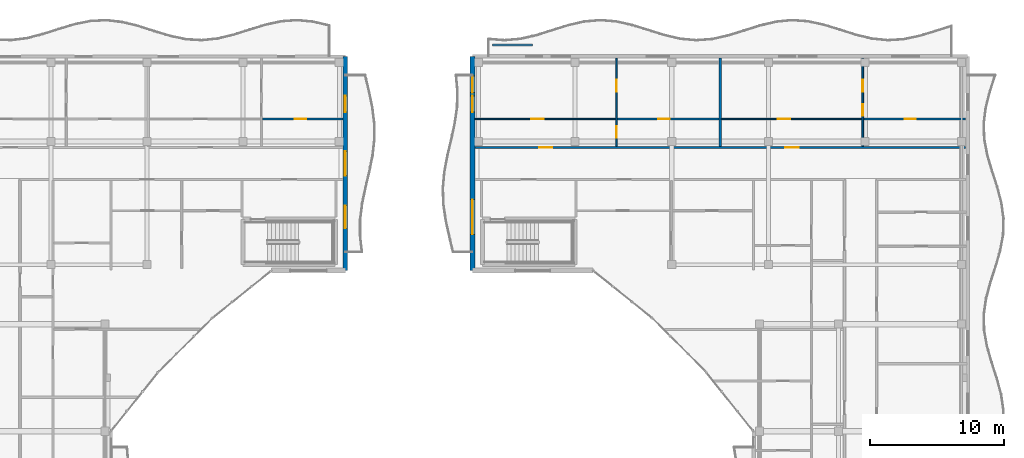
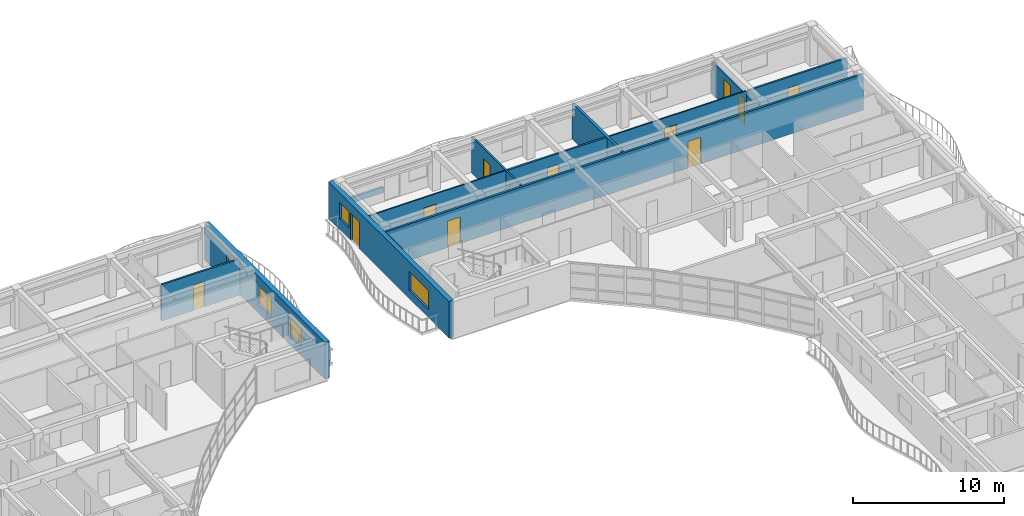
# One storey, part 53 of 79: 13 doors, 12 walls, 4 windows, 17 openings.
"""IFC4 building model written with IfcOpenShell, lengths in metres."""

from ifc_helpers import new_model, si_unit, direction, frame, frame_2d, origin, place, context, subcontext, project, spatial, rectangle, extrude, material, layer, layer_set, type_object, element, fill, save


model = new_model("IFC4")

# Units and contexts
model_context = context("Model", 3, precision=1e-05, world=origin(), true_north=direction((0.0, 1.0)))
body_context = subcontext(model_context, "Body", "Model", "MODEL_VIEW")
ifc_project = project(units=[si_unit("LENGTHUNIT", "METRE"), si_unit("AREAUNIT", "SQUARE_METRE"), si_unit("VOLUMEUNIT", "CUBIC_METRE"), si_unit("PLANEANGLEUNIT", "RADIAN"), si_unit("MASSUNIT", "GRAM", prefix="KILO")], contexts=[model_context])

# Site, building, storey
site_placement = place(None, origin())
site = spatial("IfcSite", under=ifc_project, at=site_placement, CompositionType="ELEMENT")
building_placement = place(site_placement, origin())
building = spatial("IfcBuilding", under=site, at=building_placement, Name="Keldmere Railside Commons", CompositionType="ELEMENT")
storey_placement = place(building_placement, frame((0.0, 0.0, 10.56005859375)))
storey = spatial("IfcBuildingStorey", under=building, at=storey_placement, Name="L03", CompositionType="ELEMENT", Elevation=10.56005859375)

# Wall
ifc_material_1 = material(Name="Acoustic Gypsum Board Partition", Category="gypsum")
ifc_layer_1 = layer(ifc_material_1, 0.179931640625, Name="Acoustic Demising Partition 180")
ifc_layer_set_1 = layer_set([ifc_layer_1], Name="Acoustic Gypsum Board Partition")
wall_type_1 = type_object("IfcWallType", Name="Acoustic Demising Partition 180", PredefinedType="PARTITIONING", material=ifc_layer_set_1)
wall_1_placement = place(storey_placement, frame((165.5, 109.280029296875, 0.0), z_axis=(0.0, 0.0, 1.0), x_axis=(0.0, 1.0, 0.0)))
element("IfcWall", 1, at=wall_1_placement, inside=storey, type_object=wall_type_1, Name="IW-1 IW-L03-1531", PredefinedType="PARTITIONING", context=body_context, shape_type="SweptSolid", body=[
    extrude(rectangle(XDim=6.590087890625, YDim=0.179931640625, at=frame_2d((3.294921875, 0.0))), origin(), (0.0, 0.0, 1.0), 2.93505859375),
])

# Wall, openings, doors
ifc_layer_2 = layer(ifc_material_1, 0.1201171875, Name="Apartment Interior Partition 120")
ifc_layer_set_2 = layer_set([ifc_layer_2], Name="Acoustic Gypsum Board Partition")
wall_type_2 = type_object("IfcWallType", Name="Apartment Interior Partition 120", PredefinedType="PARTITIONING", material=ifc_layer_set_2)
wall_2_placement = place(storey_placement, frame((157.75, 109.280029296875, 0.0), z_axis=(0.0, 0.0, 1.0), x_axis=(0.0, 1.0, 0.0)))
wall_2 = element("IfcWall", 2, at=wall_2_placement, inside=storey, type_object=wall_type_2, Name="IW-4 IW-L03-1532", PredefinedType="PARTITIONING", context=body_context, shape_type="SweptSolid", body=[
    extrude(rectangle(XDim=6.590087890625, YDim=0.1201171875, at=frame_2d((3.294921875, 0.0))), origin(), (0.0, 0.0, 1.0), 2.93505859375),
])
opening_1_placement = place(wall_2_placement, frame((0.656005859375, 0.0, 0.0)))
opening_1 = element("IfcOpeningElement", 3, at=opening_1_placement, cuts=wall_2, Name="Opening ID-04", PredefinedType="OPENING", context=body_context, shape_type="SweptSolid", body=[
    extrude(rectangle(XDim=0.860107421875, YDim=2.10009765625, at=frame_2d((0.43017578125, 1.050048828125))), frame((0.0, 0.070068359375, 0.0), z_axis=(0.0, -1.0, 0.0), x_axis=(1.0, 0.0, 0.0)), (0.0, 0.0, 1.0), 0.14013671875),
])
opening_2_placement = place(wall_2_placement, frame((4.093017578125, 0.0, 0.0)))
opening_2 = element("IfcOpeningElement", 4, at=opening_2_placement, cuts=wall_2, Name="Opening ID-01", PredefinedType="OPENING", context=body_context, shape_type="SweptSolid", body=[
    extrude(rectangle(XDim=0.89990234375, YDim=2.10009765625, at=frame_2d((0.449951171875, 1.050048828125))), frame((0.0, 0.070068359375, 0.0), z_axis=(0.0, -1.0, 0.0), x_axis=(1.0, 0.0, 0.0)), (0.0, 0.0, 1.0), 0.14013671875),
])
ifc_material_2 = material(Name="Engineered Oak Timber", Category="wood")
door_type_1 = type_object("IfcDoorType", Name="Apartment Bathroom Door 860x2100", OperationType="NOTDEFINED", PredefinedType="DOOR", material=ifc_material_2)
door_1_placement = place(opening_1_placement, origin())
door_1 = element("IfcDoor", 5, at=door_1_placement, inside=storey, type_object=door_type_1, Name="ID-04 IDR-L03-1379", OperationType="SINGLE_SWING_LEFT", OverallHeight=2.10009765625, OverallWidth=0.860107421875, PredefinedType="DOOR", context=body_context, shape_type="SweptSolid", body=[
    extrude(rectangle(XDim=0.860107421875, YDim=2.10009765625, at=frame_2d((0.43017578125, 1.050048828125))), frame((0.0, 0.02490234375, 0.0), z_axis=(0.0, -1.0, 0.0), x_axis=(1.0, 0.0, 0.0)), (0.0, 0.0, 1.0), 0.050048828125),
])
fill(opening_1, door_1)
door_type_2 = type_object("IfcDoorType", Name="Primary Bedroom Door 900x2100", OperationType="NOTDEFINED", PredefinedType="DOOR", material=ifc_material_2)
door_2_placement = place(opening_2_placement, origin())
door_2 = element("IfcDoor", 6, at=door_2_placement, inside=storey, type_object=door_type_2, Name="ID-01 IDR-L03-1380", OperationType="SINGLE_SWING_RIGHT", OverallHeight=2.10009765625, OverallWidth=0.89990234375, PredefinedType="DOOR", context=body_context, shape_type="SweptSolid", body=[
    extrude(rectangle(XDim=0.89990234375, YDim=2.10009765625, at=frame_2d((0.449951171875, 1.050048828125))), frame((0.0, 0.02490234375, 0.0), z_axis=(0.0, -1.0, 0.0), x_axis=(1.0, 0.0, 0.0)), (0.0, 0.0, 1.0), 0.050048828125),
])
fill(opening_2, door_2)

wall_3_placement = place(storey_placement, frame((176.159912109375, 109.280029296875, 0.0), z_axis=(0.0, 0.0, 1.0), x_axis=(0.0, 1.0, 0.0)))
wall_3 = element("IfcWall", 7, at=wall_3_placement, inside=storey, type_object=wall_type_2, Name="IW-4 IW-L03-1535", PredefinedType="PARTITIONING", context=body_context, shape_type="SweptSolid", body=[
    extrude(rectangle(XDim=6.590087890625, YDim=0.1201171875, at=frame_2d((3.294921875, 0.0))), origin(), (0.0, 0.0, 1.0), 2.579833984375),
])
opening_3_placement = place(wall_3_placement, frame((2.305908203125, 0.0, 0.0)))
opening_3 = element("IfcOpeningElement", 8, at=opening_3_placement, cuts=wall_3, Name="Opening ID-04", PredefinedType="OPENING", context=body_context, shape_type="SweptSolid", body=[
    extrude(rectangle(XDim=0.860107421875, YDim=2.10009765625, at=frame_2d((0.43017578125, 1.050048828125))), frame((0.0, 0.070068359375, 0.0), z_axis=(0.0, -1.0, 0.0), x_axis=(1.0, 0.0, 0.0)), (0.0, 0.0, 1.0), 0.14013671875),
])
opening_4_placement = place(wall_3_placement, frame((4.093017578125, 0.0, 0.0)))
opening_4 = element("IfcOpeningElement", 9, at=opening_4_placement, cuts=wall_3, Name="Opening ID-01", PredefinedType="OPENING", context=body_context, shape_type="SweptSolid", body=[
    extrude(rectangle(XDim=0.89990234375, YDim=2.10009765625, at=frame_2d((0.449951171875, 1.050048828125))), frame((0.0, 0.070068359375, 0.0), z_axis=(0.0, -1.0, 0.0), x_axis=(1.0, 0.0, 0.0)), (0.0, 0.0, 1.0), 0.14013671875),
])
door_3_placement = place(opening_3_placement, origin())
door_3 = element("IfcDoor", 10, at=door_3_placement, inside=storey, type_object=door_type_1, Name="ID-04 IDR-L03-1384", OperationType="SINGLE_SWING_RIGHT", OverallHeight=2.10009765625, OverallWidth=0.860107421875, PredefinedType="DOOR", context=body_context, shape_type="SweptSolid", body=[
    extrude(rectangle(XDim=0.860107421875, YDim=2.10009765625, at=frame_2d((0.43017578125, 1.050048828125))), frame((0.0, 0.02490234375, 0.0), z_axis=(0.0, -1.0, 0.0), x_axis=(1.0, 0.0, 0.0)), (0.0, 0.0, 1.0), 0.050048828125),
])
fill(opening_3, door_3)
door_4_placement = place(opening_4_placement, origin())
door_4 = element("IfcDoor", 11, at=door_4_placement, inside=storey, type_object=door_type_2, Name="ID-01 IDR-L03-1385", OperationType="SINGLE_SWING_LEFT", OverallHeight=2.10009765625, OverallWidth=0.89990234375, PredefinedType="DOOR", context=body_context, shape_type="SweptSolid", body=[
    extrude(rectangle(XDim=0.89990234375, YDim=2.10009765625, at=frame_2d((0.449951171875, 1.050048828125))), frame((0.0, 0.02490234375, 0.0), z_axis=(0.0, -1.0, 0.0), x_axis=(1.0, 0.0, 0.0)), (0.0, 0.0, 1.0), 0.050048828125),
])
fill(opening_4, door_4)

# Wall
ifc_material_3 = material(Name="White Precast Concrete H-35 (C35/45)", Category="concrete")
ifc_layer_3 = layer(ifc_material_3, 0.169921875, Name="Balcony Planter Kerb Wall 170")
ifc_layer_set_3 = layer_set([ifc_layer_3], Name="White Precast Concrete H-35 (C35/45)")
wall_type_3 = type_object("IfcWallType", Name="Balcony Planter Kerb Wall 170", PredefinedType="PARAPET", material=ifc_layer_set_3)
wall_4_placement = place(storey_placement, frame((148.5, 116.85009765625, 0.0), z_axis=(0.0, 0.0, 1.0), x_axis=(1.0, 0.0, 0.0)))
element("IfcWall", 12, at=wall_4_placement, inside=storey, type_object=wall_type_3, Name="PW-2 PKBA-L03-0902", PredefinedType="PARAPET", context=body_context, shape_type="SweptSolid", body=[
    extrude(rectangle(XDim=3.0, YDim=0.169921875, at=frame_2d((1.5, 0.0))), origin(), (0.0, 0.0, 1.0), 0.449951171875),
])

# Wall, opening, door
ifc_layer_4 = layer(ifc_material_1, 0.10009765625, Name="Closet Light Partition 100")
ifc_layer_set_4 = layer_set([ifc_layer_4], Name="Acoustic Gypsum Board Partition")
wall_type_4 = type_object("IfcWallType", Name="Closet Light Partition 100", PredefinedType="PARTITIONING", material=ifc_layer_set_4)
wall_5_placement = place(storey_placement, frame((147.179931640625, 111.330078125, 0.0), z_axis=(0.0, 0.0, 1.0), x_axis=(1.0, 0.0, 0.0)))
wall_5 = element("IfcWall", 13, at=wall_5_placement, inside=storey, type_object=wall_type_4, Name="IW-6 IW-L03-1534", PredefinedType="PARTITIONING", context=body_context, shape_type="SweptSolid", body=[
    extrude(rectangle(XDim=10.510009765625, YDim=0.10009765625, at=frame_2d((5.2548828125, 0.0))), origin(), (0.0, 0.0, 1.0), 2.93505859375),
])
opening_5_placement = place(wall_5_placement, frame((4.22802734375, 0.0, 0.0)))
opening_5 = element("IfcOpeningElement", 14, at=opening_5_placement, cuts=wall_5, Name="Opening ID-03", PredefinedType="OPENING", context=body_context, shape_type="SweptSolid", body=[
    extrude(rectangle(XDim=0.919921875, YDim=2.10009765625, at=frame_2d((0.4599609375, 1.050048828125))), frame((0.0, 0.06005859375, 0.0), z_axis=(0.0, -1.0, 0.0), x_axis=(1.0, 0.0, 0.0)), (0.0, 0.0, 1.0), 0.1201171875),
])
door_type_3 = type_object("IfcDoorType", Name="Kitchen Pocket-Frame Swing Door 920x2100", OperationType="NOTDEFINED", PredefinedType="DOOR", material=ifc_material_2)
door_5_placement = place(opening_5_placement, origin())
door_5 = element("IfcDoor", 15, at=door_5_placement, inside=storey, type_object=door_type_3, Name="ID-03 IDR-L03-1378", OperationType="SINGLE_SWING_RIGHT", OverallHeight=2.10009765625, OverallWidth=0.919921875, PredefinedType="DOOR", context=body_context, shape_type="SweptSolid", body=[
    extrude(rectangle(XDim=0.919921875, YDim=2.10009765625, at=frame_2d((0.4599609375, 1.050048828125))), frame((0.0, 0.02490234375, 0.0), z_axis=(0.0, -1.0, 0.0), x_axis=(1.0, 0.0, 0.0)), (0.0, 0.0, 1.0), 0.050048828125),
])
fill(opening_5, door_5)

wall_6_placement = place(storey_placement, frame((165.590087890625, 111.330078125, 0.0), z_axis=(0.0, 0.0, 1.0), x_axis=(1.0, 0.0, 0.0)))
wall_6 = element("IfcWall", 16, at=wall_6_placement, inside=storey, type_object=wall_type_4, Name="IW-6 IW-L03-1537", PredefinedType="PARTITIONING", context=body_context, shape_type="SweptSolid", body=[
    extrude(rectangle(XDim=10.510009765625, YDim=0.10009765625, at=frame_2d((5.2548828125, 0.0))), origin(), (0.0, 0.0, 1.0), 2.93505859375),
])
opening_6_placement = place(wall_6_placement, frame((4.22802734375, 0.0, 0.0)))
opening_6 = element("IfcOpeningElement", 17, at=opening_6_placement, cuts=wall_6, Name="Opening ID-03", PredefinedType="OPENING", context=body_context, shape_type="SweptSolid", body=[
    extrude(rectangle(XDim=0.919921875, YDim=2.10009765625, at=frame_2d((0.4599609375, 1.050048828125))), frame((0.0, 0.06005859375, 0.0), z_axis=(0.0, -1.0, 0.0), x_axis=(1.0, 0.0, 0.0)), (0.0, 0.0, 1.0), 0.1201171875),
])
door_6_placement = place(opening_6_placement, origin())
door_6 = element("IfcDoor", 18, at=door_6_placement, inside=storey, type_object=door_type_3, Name="ID-03 IDR-L03-1383", OperationType="SINGLE_SWING_LEFT", OverallHeight=2.10009765625, OverallWidth=0.919921875, PredefinedType="DOOR", context=body_context, shape_type="SweptSolid", body=[
    extrude(rectangle(XDim=0.919921875, YDim=2.10009765625, at=frame_2d((0.4599609375, 1.050048828125))), frame((0.0, 0.02490234375, 0.0), z_axis=(0.0, -1.0, 0.0), x_axis=(1.0, 0.0, 0.0)), (0.0, 0.0, 1.0), 0.050048828125),
])
fill(opening_6, door_6)

# Wall, openings, doors
ifc_layer_5 = layer(ifc_material_1, 0.159912109375, Name="Corridor Fire Partition 160")
ifc_layer_set_5 = layer_set([ifc_layer_5], Name="Acoustic Gypsum Board Partition")
wall_type_5 = type_object("IfcWallType", Name="Corridor Fire Partition 160", PredefinedType="PARTITIONING", material=ifc_layer_set_5)
wall_7_placement = place(storey_placement, frame((147.179931640625, 109.199951171875, 0.0), z_axis=(0.0, 0.0, 1.0), x_axis=(1.0, 0.0, 0.0)))
wall_7 = element("IfcWall", 19, at=wall_7_placement, inside=storey, type_object=wall_type_5, Name="IW-2 IW-L03-1513", PredefinedType="PARTITIONING", context=body_context, shape_type="SweptSolid", body=[
    extrude(rectangle(XDim=36.64013671875, YDim=0.159912109375, at=frame_2d((18.320068359375, 0.0))), origin(), (0.0, 0.0, 1.0), 2.93505859375),
])
opening_7_placement = place(wall_7_placement, frame((4.794921875, 0.0, 0.0)))
opening_7 = element("IfcOpeningElement", 20, at=opening_7_placement, cuts=wall_7, Name="Opening FD-7", PredefinedType="OPENING", context=body_context, shape_type="SweptSolid", body=[
    extrude(rectangle(XDim=0.97998046875, YDim=2.14990234375, at=frame_2d((0.489990234375, 1.074951171875))), frame((0.0, 0.08984375, 0.0), z_axis=(0.0, -1.0, 0.0), x_axis=(1.0, 0.0, 0.0)), (0.0, 0.0, 1.0), 0.179931640625),
])
opening_8_placement = place(wall_7_placement, frame((23.205078125, 0.0, 0.0)))
opening_8 = element("IfcOpeningElement", 21, at=opening_8_placement, cuts=wall_7, Name="Opening FD-7", PredefinedType="OPENING", context=body_context, shape_type="SweptSolid", body=[
    extrude(rectangle(XDim=0.97998046875, YDim=2.14990234375, at=frame_2d((0.489990234375, 1.074951171875))), frame((0.0, 0.08984375, 0.0), z_axis=(0.0, -1.0, 0.0), x_axis=(1.0, 0.0, 0.0)), (0.0, 0.0, 1.0), 0.179931640625),
])
door_type_4 = type_object("IfcDoorType", Name="Apartment Entrance Acoustic Fire Door 980x2150", OperationType="NOTDEFINED", PredefinedType="DOOR", material=ifc_material_2)
door_7_placement = place(opening_7_placement, origin())
door_7 = element("IfcDoor", 22, at=door_7_placement, inside=storey, type_object=door_type_4, Name="FD-7 IDR-L03-1377", OperationType="SINGLE_SWING_LEFT", OverallHeight=2.14990234375, OverallWidth=0.97998046875, PredefinedType="DOOR", context=body_context, shape_type="SweptSolid", body=[
    extrude(rectangle(XDim=0.97998046875, YDim=2.14990234375, at=frame_2d((0.489990234375, 1.074951171875))), frame((0.0, 0.02490234375, 0.0), z_axis=(0.0, -1.0, 0.0), x_axis=(1.0, 0.0, 0.0)), (0.0, 0.0, 1.0), 0.050048828125),
])
fill(opening_7, door_7)
door_8_placement = place(opening_8_placement, origin())
door_8 = element("IfcDoor", 23, at=door_8_placement, inside=storey, type_object=door_type_4, Name="FD-7 IDR-L03-1382", OperationType="SINGLE_SWING_RIGHT", OverallHeight=2.14990234375, OverallWidth=0.97998046875, PredefinedType="DOOR", context=body_context, shape_type="SweptSolid", body=[
    extrude(rectangle(XDim=0.97998046875, YDim=2.14990234375, at=frame_2d((0.489990234375, 1.074951171875))), frame((0.0, 0.02490234375, 0.0), z_axis=(0.0, -1.0, 0.0), x_axis=(1.0, 0.0, 0.0)), (0.0, 0.0, 1.0), 0.050048828125),
])
fill(opening_8, door_8)

# Wall, openings, door, windows
ifc_material_4 = material(Name="Concrete H-35 (C35/45)", Category="concrete")
ifc_layer_6 = layer(ifc_material_4, 0.360107421875, Name="Exterior Shear Wall 360")
ifc_layer_set_6 = layer_set([ifc_layer_6], Name="Concrete H-35 (C35/45)")
wall_type_6 = type_object("IfcWallType", Name="Exterior Shear Wall 360", PredefinedType="SHEAR", material=ifc_layer_set_6)
wall_8_placement = place(storey_placement, frame((137.5, 116.0, 0.0), z_axis=(0.0, 0.0, 1.0), x_axis=(0.0, -1.0, 0.0)))
wall_8 = element("IfcWall", 24, at=wall_8_placement, inside=storey, type_object=wall_type_6, Name="ESW-1 EXTB-L03-0605", PredefinedType="SHEAR", context=body_context, shape_type="SweptSolid", body=[
    extrude(rectangle(XDim=16.0, YDim=0.360107421875, at=frame_2d((8.0, 0.0))), origin(), (0.0, 0.0, 1.0), 2.97998046875),
])
opening_9_placement = place(wall_8_placement, frame((2.949951171875, 0.0, 0.0)))
opening_9 = element("IfcOpeningElement", 25, at=opening_9_placement, cuts=wall_8, Name="Opening BD-01", PredefinedType="OPENING", context=body_context, shape_type="SweptSolid", body=[
    extrude(rectangle(XDim=1.199951171875, YDim=2.199951171875, at=frame_2d((0.60009765625, 1.10009765625))), frame((0.0, 0.18994140625, 0.0), z_axis=(0.0, -1.0, 0.0), x_axis=(1.0, 0.0, 0.0)), (0.0, 0.0, 1.0), 0.380126953125),
])
opening_10_placement = place(wall_8_placement, frame((7.10009765625, 0.0, 0.719970703125)))
opening_10 = element("IfcOpeningElement", 26, at=opening_10_placement, cuts=wall_8, Name="Opening WN-01", PredefinedType="OPENING", context=body_context, shape_type="SweptSolid", body=[
    extrude(rectangle(XDim=1.800048828125, YDim=1.5, at=frame_2d((0.89990234375, 0.75))), frame((0.0, 0.18994140625, 0.0), z_axis=(0.0, -1.0, 0.0), x_axis=(1.0, 0.0, 0.0)), (0.0, 0.0, 1.0), 0.380126953125),
])
opening_11_placement = place(wall_8_placement, frame((11.14990234375, 0.0, 0.719970703125)))
opening_11 = element("IfcOpeningElement", 27, at=opening_11_placement, cuts=wall_8, Name="Opening WN-20", PredefinedType="OPENING", context=body_context, shape_type="SweptSolid", body=[
    extrude(rectangle(XDim=1.699951171875, YDim=1.5, at=frame_2d((0.85009765625, 0.75))), frame((0.0, 0.18994140625, 0.0), z_axis=(0.0, -1.0, 0.0), x_axis=(1.0, 0.0, 0.0)), (0.0, 0.0, 1.0), 0.380126953125),
])
ifc_material_5 = material(Name="Thermally Broken Aluminium", Category="aluminium")
door_type_5 = type_object("IfcDoorType", Name="Apartment Living Wave-Balcony Glazed Door 1200x2200", OperationType="NOTDEFINED", PredefinedType="DOOR", material=ifc_material_5)
door_9_placement = place(opening_9_placement, origin())
door_9 = element("IfcDoor", 28, at=door_9_placement, inside=storey, type_object=door_type_5, Name="BD-01 DR-L03-0146", OperationType="SINGLE_SWING_RIGHT", OverallHeight=2.199951171875, OverallWidth=1.199951171875, PredefinedType="DOOR", context=body_context, shape_type="SweptSolid", body=[
    extrude(rectangle(XDim=1.199951171875, YDim=2.199951171875, at=frame_2d((0.60009765625, 1.10009765625))), frame((0.0, 0.02490234375, 0.0), z_axis=(0.0, -1.0, 0.0), x_axis=(1.0, 0.0, 0.0)), (0.0, 0.0, 1.0), 0.050048828125),
])
fill(opening_9, door_9)
ifc_material_6 = material(Name="Low-E Insulated Double Glazing", Category="glass")
window_type_1 = type_object("IfcWindowType", Name="Living Room North Casement Window 1800x1500", PartitioningType="SINGLE_PANEL", PredefinedType="WINDOW", material=ifc_material_6)
window_1_placement = place(opening_10_placement, origin())
window_1 = element("IfcWindow", 29, at=window_1_placement, inside=storey, type_object=window_type_1, Name="WN-01 WIN-L03-0406", OverallHeight=1.5, OverallWidth=1.800048828125, PartitioningType="SINGLE_PANEL", PredefinedType="WINDOW", context=body_context, shape_type="SweptSolid", body=[
    extrude(rectangle(XDim=1.800048828125, YDim=1.5, at=frame_2d((0.89990234375, 0.75))), frame((0.0, 0.030029296875, 0.0), z_axis=(0.0, -1.0, 0.0), x_axis=(1.0, 0.0, 0.0)), (0.0, 0.0, 1.0), 0.06005859375),
])
fill(opening_10, window_1)
window_type_2 = type_object("IfcWindowType", Name="Study Room Quiet Casement Window 1700x1500", PartitioningType="SINGLE_PANEL", PredefinedType="WINDOW", material=ifc_material_6)
window_2_placement = place(opening_11_placement, origin())
window_2 = element("IfcWindow", 30, at=window_2_placement, inside=storey, type_object=window_type_2, Name="WN-20 WIN-L03-0407", OverallHeight=1.5, OverallWidth=1.699951171875, PartitioningType="SINGLE_PANEL", PredefinedType="WINDOW", context=body_context, shape_type="SweptSolid", body=[
    extrude(rectangle(XDim=1.699951171875, YDim=1.5, at=frame_2d((0.85009765625, 0.75))), frame((0.0, 0.030029296875, 0.0), z_axis=(0.0, -1.0, 0.0), x_axis=(1.0, 0.0, 0.0)), (0.0, 0.0, 1.0), 0.06005859375),
])
fill(opening_11, window_2)

wall_9_placement = place(storey_placement, frame((147.0, 100.0, 0.0), z_axis=(0.0, 0.0, 1.0), x_axis=(0.0, 1.0, 0.0)))
wall_9 = element("IfcWall", 31, at=wall_9_placement, inside=storey, type_object=wall_type_6, Name="ESW-1 EXTA-L03-0899", PredefinedType="SHEAR", context=body_context, shape_type="SweptSolid", body=[
    extrude(rectangle(XDim=16.0, YDim=0.360107421875, at=frame_2d((8.0, 0.0))), origin(), (0.0, 0.0, 1.0), 2.97998046875),
])
opening_12_placement = place(wall_9_placement, frame((2.699951171875, 0.0, 0.669921875)))
opening_12 = element("IfcOpeningElement", 32, at=opening_12_placement, cuts=wall_9, Name="Opening WN-39", PredefinedType="OPENING", context=body_context, shape_type="SweptSolid", body=[
    extrude(rectangle(XDim=2.60009765625, YDim=1.550048828125, at=frame_2d((1.300048828125, 0.77490234375))), frame((0.0, 0.18994140625, 0.0), z_axis=(0.0, -1.0, 0.0), x_axis=(1.0, 0.0, 0.0)), (0.0, 0.0, 1.0), 0.380126953125),
])
opening_13_placement = place(wall_9_placement, frame((11.85009765625, 0.0, 0.0)))
opening_13 = element("IfcOpeningElement", 33, at=opening_13_placement, cuts=wall_9, Name="Opening BD-01", PredefinedType="OPENING", context=body_context, shape_type="SweptSolid", body=[
    extrude(rectangle(XDim=1.199951171875, YDim=2.199951171875, at=frame_2d((0.60009765625, 1.10009765625))), frame((0.0, 0.18994140625, 0.0), z_axis=(0.0, -1.0, 0.0), x_axis=(1.0, 0.0, 0.0)), (0.0, 0.0, 1.0), 0.380126953125),
])
opening_14_placement = place(wall_9_placement, frame((13.300048828125, 0.0, 0.8701171875)))
opening_14 = element("IfcOpeningElement", 34, at=opening_14_placement, cuts=wall_9, Name="Opening WN-09", PredefinedType="OPENING", context=body_context, shape_type="SweptSolid", body=[
    extrude(rectangle(XDim=1.25, YDim=1.35009765625, at=frame_2d((0.625, 0.675048828125))), frame((0.0, 0.18994140625, 0.0), z_axis=(0.0, -1.0, 0.0), x_axis=(1.0, 0.0, 0.0)), (0.0, 0.0, 1.0), 0.380126953125),
])
door_10_placement = place(opening_13_placement, origin())
door_10 = element("IfcDoor", 35, at=door_10_placement, inside=storey, type_object=door_type_5, Name="BD-01 DR-L03-0236", OperationType="SINGLE_SWING_RIGHT", OverallHeight=2.199951171875, OverallWidth=1.199951171875, PredefinedType="DOOR", context=body_context, shape_type="SweptSolid", body=[
    extrude(rectangle(XDim=1.199951171875, YDim=2.199951171875, at=frame_2d((0.60009765625, 1.10009765625))), frame((0.0, 0.02490234375, 0.0), z_axis=(0.0, -1.0, 0.0), x_axis=(1.0, 0.0, 0.0)), (0.0, 0.0, 1.0), 0.050048828125),
])
fill(opening_13, door_10)
window_type_3 = type_object("IfcWindowType", Name="Secondary Bedroom Window 1250x1350", PartitioningType="SINGLE_PANEL", PredefinedType="WINDOW", material=ifc_material_6)
window_3_placement = place(opening_14_placement, origin())
window_3 = element("IfcWindow", 36, at=window_3_placement, inside=storey, type_object=window_type_3, Name="WN-09 WIN-L03-0637", OverallHeight=1.35009765625, OverallWidth=1.25, PartitioningType="SINGLE_PANEL", PredefinedType="WINDOW", context=body_context, shape_type="SweptSolid", body=[
    extrude(rectangle(XDim=1.25, YDim=1.35009765625, at=frame_2d((0.625, 0.675048828125))), frame((0.0, 0.030029296875, 0.0), z_axis=(0.0, -1.0, 0.0), x_axis=(1.0, 0.0, 0.0)), (0.0, 0.0, 1.0), 0.06005859375),
])
fill(opening_14, window_3)
window_type_4 = type_object("IfcWindowType", Name="Three-Bed Corner Living Window 2600x1550", PartitioningType="SINGLE_PANEL", PredefinedType="WINDOW", material=ifc_material_6)
window_4_placement = place(opening_12_placement, origin())
window_4 = element("IfcWindow", 37, at=window_4_placement, inside=storey, type_object=window_type_4, Name="WN-39 WIN-L03-0636", OverallHeight=1.550048828125, OverallWidth=2.60009765625, PartitioningType="SINGLE_PANEL", PredefinedType="WINDOW", context=body_context, shape_type="SweptSolid", body=[
    extrude(rectangle(XDim=2.60009765625, YDim=1.550048828125, at=frame_2d((1.300048828125, 0.77490234375))), frame((0.0, 0.030029296875, 0.0), z_axis=(0.0, -1.0, 0.0), x_axis=(1.0, 0.0, 0.0)), (0.0, 0.0, 1.0), 0.06005859375),
])
fill(opening_12, window_4)

# Wall, opening, door
ifc_layer_7 = layer(ifc_material_1, 0.139892578125, Name="Wet-Room Sanitary Partition 140")
ifc_layer_set_7 = layer_set([ifc_layer_7], Name="Acoustic Gypsum Board Partition")
wall_type_7 = type_object("IfcWallType", Name="Wet-Room Sanitary Partition 140", PredefinedType="PARTITIONING", material=ifc_layer_set_7)
wall_10_placement = place(storey_placement, frame((131.31005859375, 111.330078125, 0.0), z_axis=(0.0, 0.0, 1.0), x_axis=(1.0, 0.0, 0.0)))
wall_10 = element("IfcWall", 38, at=wall_10_placement, inside=storey, type_object=wall_type_7, Name="IW-5 IW-L03-1041", PredefinedType="PARTITIONING", context=body_context, shape_type="SweptSolid", body=[
    extrude(rectangle(XDim=6.010009765625, YDim=0.139892578125, at=frame_2d((3.0048828125, 0.0))), origin(), (0.0, 0.0, 1.0), 2.93505859375),
])
opening_15_placement = place(wall_10_placement, frame((2.427978515625, 0.0, 0.0)))
opening_15 = element("IfcOpeningElement", 39, at=opening_15_placement, cuts=wall_10, Name="Opening ID-06", PredefinedType="OPENING", context=body_context, shape_type="SweptSolid", body=[
    extrude(rectangle(XDim=0.85009765625, YDim=2.050048828125, at=frame_2d((0.425048828125, 1.02490234375))), frame((0.0, 0.079833984375, 0.0), z_axis=(0.0, -1.0, 0.0), x_axis=(1.0, 0.0, 0.0)), (0.0, 0.0, 1.0), 0.159912109375),
])
door_type_6 = type_object("IfcDoorType", Name="Storage Closet Door 850x2050", OperationType="NOTDEFINED", PredefinedType="DOOR", material=ifc_material_2)
door_11_placement = place(opening_15_placement, origin())
door_11 = element("IfcDoor", 40, at=door_11_placement, inside=storey, type_object=door_type_6, Name="ID-06 IDR-L03-0914", OperationType="SINGLE_SWING_RIGHT", OverallHeight=2.050048828125, OverallWidth=0.85009765625, PredefinedType="DOOR", context=body_context, shape_type="SweptSolid", body=[
    extrude(rectangle(XDim=0.85009765625, YDim=2.050048828125, at=frame_2d((0.425048828125, 1.02490234375))), frame((0.0, 0.02490234375, 0.0), z_axis=(0.0, -1.0, 0.0), x_axis=(1.0, 0.0, 0.0)), (0.0, 0.0, 1.0), 0.050048828125),
])
fill(opening_15, door_11)

wall_11_placement = place(storey_placement, frame((157.81005859375, 111.330078125, 0.0), z_axis=(0.0, 0.0, 1.0), x_axis=(1.0, 0.0, 0.0)))
wall_11 = element("IfcWall", 41, at=wall_11_placement, inside=storey, type_object=wall_type_7, Name="IW-5 IW-L03-1533", PredefinedType="PARTITIONING", context=body_context, shape_type="SweptSolid", body=[
    extrude(rectangle(XDim=7.599853515625, YDim=0.139892578125, at=frame_2d((3.7998046875, 0.0))), origin(), (0.0, 0.0, 1.0), 2.93505859375),
])
opening_16_placement = place(wall_11_placement, frame((3.06396484375, 0.0, 0.0)))
opening_16 = element("IfcOpeningElement", 42, at=opening_16_placement, cuts=wall_11, Name="Opening ID-06", PredefinedType="OPENING", context=body_context, shape_type="SweptSolid", body=[
    extrude(rectangle(XDim=0.85009765625, YDim=2.050048828125, at=frame_2d((0.425048828125, 1.02490234375))), frame((0.0, 0.079833984375, 0.0), z_axis=(0.0, -1.0, 0.0), x_axis=(1.0, 0.0, 0.0)), (0.0, 0.0, 1.0), 0.159912109375),
])
door_12_placement = place(opening_16_placement, origin())
door_12 = element("IfcDoor", 43, at=door_12_placement, inside=storey, type_object=door_type_6, Name="ID-06 IDR-L03-1381", OperationType="SINGLE_SWING_LEFT", OverallHeight=2.050048828125, OverallWidth=0.85009765625, PredefinedType="DOOR", context=body_context, shape_type="SweptSolid", body=[
    extrude(rectangle(XDim=0.85009765625, YDim=2.050048828125, at=frame_2d((0.425048828125, 1.02490234375))), frame((0.0, 0.02490234375, 0.0), z_axis=(0.0, -1.0, 0.0), x_axis=(1.0, 0.0, 0.0)), (0.0, 0.0, 1.0), 0.050048828125),
])
fill(opening_16, door_12)

wall_12_placement = place(storey_placement, frame((176.219970703125, 111.330078125, 0.0), z_axis=(0.0, 0.0, 1.0), x_axis=(1.0, 0.0, 0.0)))
wall_12 = element("IfcWall", 44, at=wall_12_placement, inside=storey, type_object=wall_type_7, Name="IW-5 IW-L03-1536", PredefinedType="PARTITIONING", context=body_context, shape_type="SweptSolid", body=[
    extrude(rectangle(XDim=7.60009765625, YDim=0.139892578125, at=frame_2d((3.800048828125, 0.0))), origin(), (0.0, 0.0, 1.0), 2.93505859375),
])
opening_17_placement = place(wall_12_placement, frame((3.06396484375, 0.0, 0.0)))
opening_17 = element("IfcOpeningElement", 45, at=opening_17_placement, cuts=wall_12, Name="Opening ID-06", PredefinedType="OPENING", context=body_context, shape_type="SweptSolid", body=[
    extrude(rectangle(XDim=0.85009765625, YDim=2.050048828125, at=frame_2d((0.425048828125, 1.02490234375))), frame((0.0, 0.079833984375, 0.0), z_axis=(0.0, -1.0, 0.0), x_axis=(1.0, 0.0, 0.0)), (0.0, 0.0, 1.0), 0.159912109375),
])
door_13_placement = place(opening_17_placement, origin())
door_13 = element("IfcDoor", 46, at=door_13_placement, inside=storey, type_object=door_type_6, Name="ID-06 IDR-L03-1386", OperationType="SINGLE_SWING_RIGHT", OverallHeight=2.050048828125, OverallWidth=0.85009765625, PredefinedType="DOOR", context=body_context, shape_type="SweptSolid", body=[
    extrude(rectangle(XDim=0.85009765625, YDim=2.050048828125, at=frame_2d((0.425048828125, 1.02490234375))), frame((0.0, 0.02490234375, 0.0), z_axis=(0.0, -1.0, 0.0), x_axis=(1.0, 0.0, 0.0)), (0.0, 0.0, 1.0), 0.050048828125),
])
fill(opening_17, door_13)

save(model, "model.ifc")
